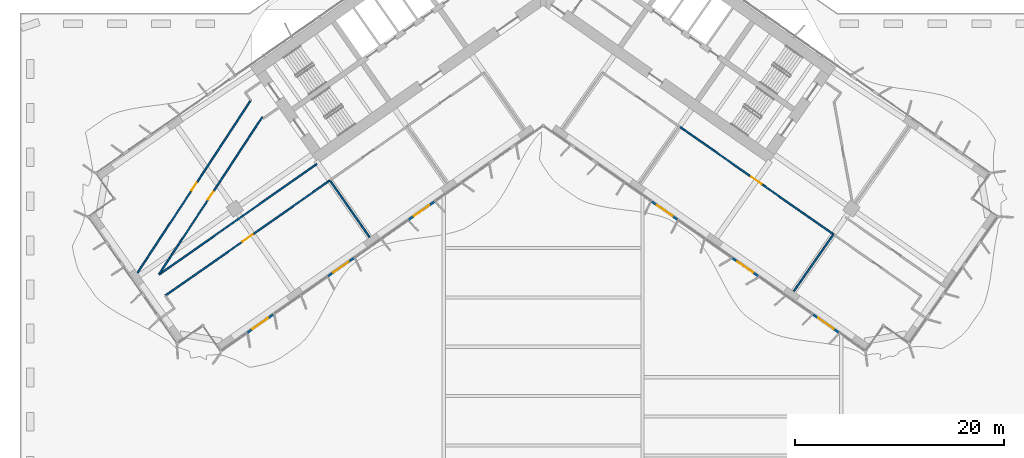
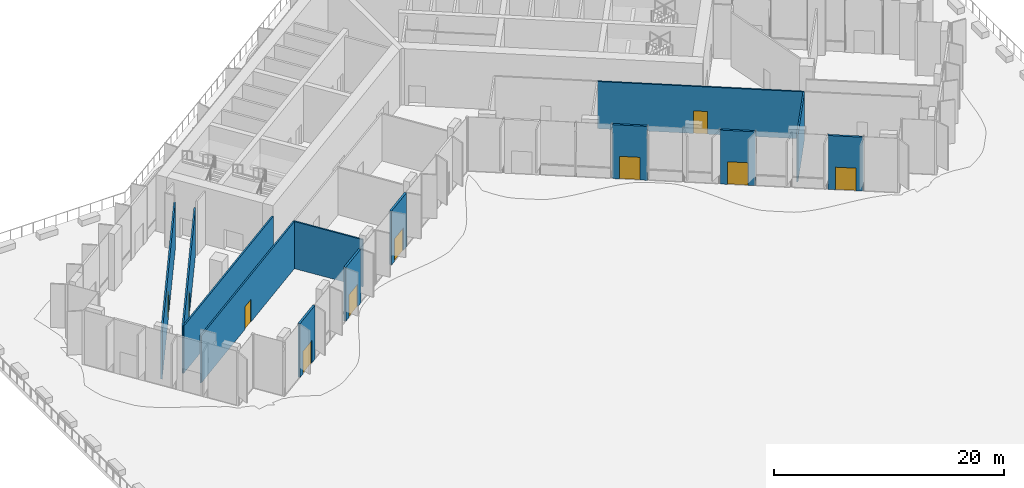
# One storey, part 16 of 27: 13 walls, 10 doors, 10 openings.
"""IFC4 building model written with IfcOpenShell, lengths in metres."""

from ifc_helpers import new_model, si_unit, direction, frame, frame_2d, origin, place, context, subcontext, project, spatial, rectangle, extrude, material, layer, layer_set, type_object, element, fill, save


model = new_model("IFC4")

# Units and contexts
model_context = context("Model", 3, precision=1e-05, world=origin(), true_north=direction((0.0, 1.0)))
body_context = subcontext(model_context, "Body", "Model", "MODEL_VIEW")
ifc_project = project(units=[si_unit("LENGTHUNIT", "METRE"), si_unit("AREAUNIT", "SQUARE_METRE"), si_unit("VOLUMEUNIT", "CUBIC_METRE"), si_unit("PLANEANGLEUNIT", "RADIAN"), si_unit("MASSUNIT", "GRAM", prefix="KILO")], contexts=[model_context])

# Site, building, storey
site_placement = place(None, origin())
site = spatial("IfcSite", under=ifc_project, at=site_placement, CompositionType="ELEMENT")
building_placement = place(site_placement, origin())
building = spatial("IfcBuilding", under=site, at=building_placement, Name="Tel Ilan Convention Tower", CompositionType="ELEMENT")
storey_placement = place(building_placement, frame((0.0, 0.0, 48.5)))
storey = spatial("IfcBuildingStorey", under=building, at=storey_placement, Name="L07", CompositionType="ELEMENT", Elevation=48.5)

# Wall, opening, door
ifc_material_1 = material(Name="Plasterboard on Steel Studs", Category="steel")
ifc_layer_1 = layer(ifc_material_1, 0.14990234375)
ifc_layer_set_1 = layer_set([ifc_layer_1], Name="Fire-rated Partition 150 EI 60")
wall_type_1 = type_object("IfcWallType", Name="Fire-rated Partition 150 EI 60", PredefinedType="PARTITIONING", material=ifc_layer_set_1)
wall_1_placement = place(storey_placement, frame((27.7705078125, -23.107421875, 0.0), z_axis=(0.0, 0.0, 1.0), x_axis=(-0.81915291695, 0.57357519006, 0.0)))
wall_1 = element("IfcWall", 1, at=wall_1_placement, inside=storey, type_object=wall_type_1, Name="Partition 003", PredefinedType="PARTITIONING", context=body_context, shape_type="SweptSolid", body=[
    extrude(rectangle(XDim=18.00390625, YDim=0.14990234375, at=frame_2d((9.001953125, 0.0))), origin(), (0.0, 0.0, 1.0), 5.0),
])
opening_1_placement = place(wall_1_placement, frame((8.402099609375, 0.0, 0.0)))
opening_1 = element("IfcOpeningElement", 2, at=opening_1_placement, cuts=wall_1, Name="Opening L07-005", PredefinedType="OPENING", context=body_context, shape_type="SweptSolid", body=[
    extrude(rectangle(XDim=1.199951171875, YDim=2.39990234375, at=frame_2d((0.60009765625, 1.199951171875))), frame((0.0, 0.0849609375, 0.0), z_axis=(0.0, -1.0, 0.0), x_axis=(1.0, 0.0, 0.0)), (0.0, 0.0, 1.0), 0.169921875),
])
ifc_material_2 = material(Name="Glazed Aluminium Door", Category="aluminium")
door_type_1 = type_object("IfcDoorType", Name="Glazed Lobby Door 1200x2400", OperationType="NOTDEFINED", PredefinedType="DOOR", material=ifc_material_2)
door_1_placement = place(opening_1_placement, origin())
door_1 = element("IfcDoor", 3, at=door_1_placement, inside=storey, type_object=door_type_1, Name="Door L07-005", OperationType="DOUBLE_DOOR_SINGLE_SWING", OverallHeight=2.39990234375, OverallWidth=1.199951171875, PredefinedType="DOOR", context=body_context, shape_type="SweptSolid", body=[
    extrude(rectangle(XDim=1.199951171875, YDim=2.39990234375, at=frame_2d((0.60009765625, 1.199951171875))), frame((0.0, 0.02490234375, 0.0), z_axis=(0.0, -1.0, 0.0), x_axis=(1.0, 0.0, 0.0)), (0.0, 0.0, 1.0), 0.050048828125),
])
fill(opening_1, door_1)

wall_2_placement = place(storey_placement, frame((-20.394775390625, -17.94287109375, 0.0), z_axis=(0.0, 0.0, 1.0), x_axis=(-0.819147689755, -0.573582655221, 0.0)))
wall_2 = element("IfcWall", 4, at=wall_2_placement, inside=storey, type_object=wall_type_1, Name="Partition 010", PredefinedType="PARTITIONING", context=body_context, shape_type="SweptSolid", body=[
    extrude(rectangle(XDim=19.201904296875, YDim=0.14990234375, at=frame_2d((9.60107421875, 0.0))), origin(), (0.0, 0.0, 1.0), 5.0),
])
opening_2_placement = place(wall_2_placement, frame((9.0009765625, 0.0, 0.0)))
opening_2 = element("IfcOpeningElement", 5, at=opening_2_placement, cuts=wall_2, Name="Opening L07-003", PredefinedType="OPENING", context=body_context, shape_type="SweptSolid", body=[
    extrude(rectangle(XDim=1.199951171875, YDim=2.39990234375, at=frame_2d((0.60009765625, 1.199951171875))), frame((0.0, 0.0849609375, 0.0), z_axis=(0.0, -1.0, 0.0), x_axis=(1.0, 0.0, 0.0)), (0.0, 0.0, 1.0), 0.169921875),
])
door_2_placement = place(opening_2_placement, origin())
door_2 = element("IfcDoor", 6, at=door_2_placement, inside=storey, type_object=door_type_1, Name="Door L07-003", OperationType="DOUBLE_DOOR_SINGLE_SWING", OverallHeight=2.39990234375, OverallWidth=1.199951171875, PredefinedType="DOOR", context=body_context, shape_type="SweptSolid", body=[
    extrude(rectangle(XDim=1.199951171875, YDim=2.39990234375, at=frame_2d((0.60009765625, 1.199951171875))), frame((0.0, 0.02490234375, 0.0), z_axis=(0.0, -1.0, 0.0), x_axis=(1.0, 0.0, 0.0)), (0.0, 0.0, 1.0), 0.050048828125),
])
fill(opening_2, door_2)

# Walls
wall_3_placement = place(storey_placement, frame((-36.716796875, -26.93017578125, 0.0), z_axis=(0.0, 0.0, 1.0), x_axis=(0.819150266993, 0.573578974585, 0.0)))
element("IfcWall", 7, at=wall_3_placement, inside=storey, type_object=wall_type_1, Name="Partition 012", PredefinedType="PARTITIONING", context=body_context, shape_type="SweptSolid", body=[
    extrude(rectangle(XDim=18.403076171875, YDim=0.14990234375, at=frame_2d((9.20166015625, 0.0))), origin(), (0.0, 0.0, 1.0), 5.0),
])
wall_4_placement = place(storey_placement, frame((27.768798828125, -23.106201171875, 0.0), z_axis=(0.0, 0.0, 1.0), x_axis=(-0.57359826181, -0.819136761505, 0.0)))
element("IfcWall", 8, at=wall_4_placement, inside=storey, type_object=wall_type_1, Name="Partition 019", PredefinedType="PARTITIONING", context=body_context, shape_type="SweptSolid", body=[
    extrude(rectangle(XDim=6.630126953125, YDim=0.14990234375, at=frame_2d((3.31494140625, 0.0))), origin(), (0.0, 0.0, 1.0), 5.0),
])

# Wall, opening, door
wall_5_placement = place(storey_placement, frame((-38.787353515625, -26.774658203125, 0.0), z_axis=(0.0, 0.0, 1.0), x_axis=(0.548981310193, 0.835834625424, 0.0)))
wall_5 = element("IfcWall", 9, at=wall_5_placement, inside=storey, type_object=wall_type_1, Name="Partition 022", PredefinedType="PARTITIONING", context=body_context, shape_type="SweptSolid", body=[
    extrude(rectangle(XDim=19.728515625, YDim=0.14990234375, at=frame_2d((9.8642578125, 0.0))), origin(), (0.0, 0.0, 1.0), 5.0),
])
opening_3_placement = place(wall_5_placement, frame((9.414306640625, 0.0, 0.0)))
opening_3 = element("IfcOpeningElement", 10, at=opening_3_placement, cuts=wall_5, Name="Opening L07-010", PredefinedType="OPENING", context=body_context, shape_type="SweptSolid", body=[
    extrude(rectangle(XDim=0.89990234375, YDim=2.10009765625, at=frame_2d((0.449951171875, 1.050048828125))), frame((0.0, 0.0849609375, 0.0), z_axis=(0.0, -1.0, 0.0), x_axis=(1.0, 0.0, 0.0)), (0.0, 0.0, 1.0), 0.169921875),
])
ifc_material_3 = material(Name="Timber Door Leaf in Steel Frame", Category="steel")
door_type_2 = type_object("IfcDoorType", Name="Room Fire Door 900x2100", OperationType="NOTDEFINED", PredefinedType="DOOR", material=ifc_material_3)
door_3_placement = place(opening_3_placement, origin())
door_3 = element("IfcDoor", 11, at=door_3_placement, inside=storey, type_object=door_type_2, Name="Door L07-010", OperationType="SINGLE_SWING_LEFT", OverallHeight=2.10009765625, OverallWidth=0.89990234375, PredefinedType="DOOR", context=body_context, shape_type="SweptSolid", body=[
    extrude(rectangle(XDim=0.89990234375, YDim=2.10009765625, at=frame_2d((0.449951171875, 1.050048828125))), frame((0.0, 0.02490234375, 0.0), z_axis=(0.0, -1.0, 0.0), x_axis=(1.0, 0.0, 0.0)), (0.0, 0.0, 1.0), 0.050048828125),
])
fill(opening_3, door_3)

wall_6_placement = place(storey_placement, frame((-26.845458984375, -11.871826171875, 0.0), z_axis=(0.0, 0.0, 1.0), x_axis=(-0.54898817212, -0.835830118429, 0.0)))
wall_6 = element("IfcWall", 12, at=wall_6_placement, inside=storey, type_object=wall_type_1, Name="Partition 025", PredefinedType="PARTITIONING", context=body_context, shape_type="SweptSolid", body=[
    extrude(rectangle(XDim=18.002197265625, YDim=0.14990234375, at=frame_2d((9.0009765625, 0.0))), origin(), (0.0, 0.0, 1.0), 5.0),
])
opening_4_placement = place(wall_6_placement, frame((8.55126953125, 0.0, 0.0)))
opening_4 = element("IfcOpeningElement", 13, at=opening_4_placement, cuts=wall_6, Name="Opening L07-008", PredefinedType="OPENING", context=body_context, shape_type="SweptSolid", body=[
    extrude(rectangle(XDim=0.89990234375, YDim=2.10009765625, at=frame_2d((0.449951171875, 1.050048828125))), frame((0.0, 0.0849609375, 0.0), z_axis=(0.0, -1.0, 0.0), x_axis=(1.0, 0.0, 0.0)), (0.0, 0.0, 1.0), 0.169921875),
])
door_4_placement = place(opening_4_placement, origin())
door_4 = element("IfcDoor", 14, at=door_4_placement, inside=storey, type_object=door_type_2, Name="Door L07-008", OperationType="SINGLE_SWING_RIGHT", OverallHeight=2.10009765625, OverallWidth=0.89990234375, PredefinedType="DOOR", context=body_context, shape_type="SweptSolid", body=[
    extrude(rectangle(XDim=0.89990234375, YDim=2.10009765625, at=frame_2d((0.449951171875, 1.050048828125))), frame((0.0, 0.02490234375, 0.0), z_axis=(0.0, -1.0, 0.0), x_axis=(1.0, 0.0, 0.0)), (0.0, 0.0, 1.0), 0.050048828125),
])
fill(opening_4, door_4)

# Wall
wall_7_placement = place(storey_placement, frame((-16.593505859375, -23.375, 0.0), z_axis=(0.0, 0.0, 1.0), x_axis=(-0.57359826181, 0.819136761505, 0.0)))
element("IfcWall", 15, at=wall_7_placement, inside=storey, type_object=wall_type_1, Name="Partition 027", PredefinedType="PARTITIONING", context=body_context, shape_type="SweptSolid", body=[
    extrude(rectangle(XDim=6.630126953125, YDim=0.14990234375, at=frame_2d((3.31494140625, 0.0))), origin(), (0.0, 0.0, 1.0), 5.0),
])

# Wall, opening, door
ifc_material_4 = material(Name="Aluminium composite cladding, bronze anodised on steel studs", Category="steel")
ifc_layer_2 = layer(ifc_material_4, 0.199951171875)
ifc_layer_set_2 = layer_set([ifc_layer_2], Name="TERRACE DOOR BAY WALL 200")
wall_type_2 = type_object("IfcWallType", Name="TERRACE DOOR BAY WALL 200", PredefinedType="SOLIDWALL", material=ifc_layer_set_2)
wall_8_placement = place(storey_placement, frame((-28.30224609375, -32.513427734375, 0.0), z_axis=(0.0, 0.0, 1.0), x_axis=(0.819164830218, 0.573558175719, 0.0)))
wall_8 = element("IfcWall", 16, at=wall_8_placement, inside=storey, type_object=wall_type_2, Name="Terrace door bay", PredefinedType="SOLIDWALL", context=body_context, shape_type="SweptSolid", body=[
    extrude(rectangle(XDim=3.07763671875, YDim=0.199951171875, at=frame_2d((1.538818359375, 0.0))), origin(), (0.0, 0.0, 1.0), 5.719970703125),
])
opening_5_placement = place(wall_8_placement, frame((0.638671875, 0.0, 0.0)))
opening_5 = element("IfcOpeningElement", 17, at=opening_5_placement, cuts=wall_8, Name="Opening T07.01", PredefinedType="OPENING", context=body_context, shape_type="SweptSolid", body=[
    extrude(rectangle(XDim=1.800048828125, YDim=2.39990234375, at=frame_2d((0.89990234375, 1.199951171875))), frame((0.0, 0.10986328125, 0.0), z_axis=(0.0, -1.0, 0.0), x_axis=(1.0, 0.0, 0.0)), (0.0, 0.0, 1.0), 0.219970703125),
])
ifc_material_5 = material(Name="Aluminium framed glazed door, bronze anodised", Category="aluminium")
door_type_3 = type_object("IfcDoorType", Name="TERRACE DOUBLE DOOR 1800x2400", OperationType="NOTDEFINED", PredefinedType="DOOR", material=ifc_material_5)
door_5_placement = place(opening_5_placement, origin())
door_5 = element("IfcDoor", 18, at=door_5_placement, inside=storey, type_object=door_type_3, Name="Terrace door", OperationType="DOUBLE_DOOR_DOUBLE_SWING", OverallHeight=2.39990234375, OverallWidth=1.800048828125, PredefinedType="DOOR", context=body_context, shape_type="SweptSolid", body=[
    extrude(rectangle(XDim=1.800048828125, YDim=2.39990234375, at=frame_2d((0.89990234375, 1.199951171875))), frame((0.0, 0.02490234375, 0.0), z_axis=(0.0, -1.0, 0.0), x_axis=(1.0, 0.0, 0.0)), (0.0, 0.0, 1.0), 0.050048828125),
])
fill(opening_5, door_5)

wall_9_placement = place(storey_placement, frame((-20.59228515625, -27.114990234375, 0.0), z_axis=(0.0, 0.0, 1.0), x_axis=(0.819138730461, 0.573595449998, 0.0)))
wall_9 = element("IfcWall", 19, at=wall_9_placement, inside=storey, type_object=wall_type_2, Name="Terrace door bay", PredefinedType="SOLIDWALL", context=body_context, shape_type="SweptSolid", body=[
    extrude(rectangle(XDim=3.077392578125, YDim=0.199951171875, at=frame_2d((1.53857421875, 0.0))), origin(), (0.0, 0.0, 1.0), 5.719970703125),
])
opening_6_placement = place(wall_9_placement, frame((0.638671875, 0.0, 0.0)))
opening_6 = element("IfcOpeningElement", 20, at=opening_6_placement, cuts=wall_9, Name="Opening T07.02", PredefinedType="OPENING", context=body_context, shape_type="SweptSolid", body=[
    extrude(rectangle(XDim=1.800048828125, YDim=2.39990234375, at=frame_2d((0.89990234375, 1.199951171875))), frame((0.0, 0.10986328125, 0.0), z_axis=(0.0, -1.0, 0.0), x_axis=(1.0, 0.0, 0.0)), (0.0, 0.0, 1.0), 0.219970703125),
])
door_6_placement = place(opening_6_placement, origin())
door_6 = element("IfcDoor", 21, at=door_6_placement, inside=storey, type_object=door_type_3, Name="Terrace door", OperationType="DOUBLE_DOOR_DOUBLE_SWING", OverallHeight=2.39990234375, OverallWidth=1.800048828125, PredefinedType="DOOR", context=body_context, shape_type="SweptSolid", body=[
    extrude(rectangle(XDim=1.800048828125, YDim=2.39990234375, at=frame_2d((0.89990234375, 1.199951171875))), frame((0.0, 0.02490234375, 0.0), z_axis=(0.0, -1.0, 0.0), x_axis=(1.0, 0.0, 0.0)), (0.0, 0.0, 1.0), 0.050048828125),
])
fill(opening_6, door_6)

wall_10_placement = place(storey_placement, frame((-12.882568359375, -21.716552734375, 0.0), z_axis=(0.0, 0.0, 1.0), x_axis=(0.819138730461, 0.573595449998, 0.0)))
wall_10 = element("IfcWall", 22, at=wall_10_placement, inside=storey, type_object=wall_type_2, Name="Terrace door bay", PredefinedType="SOLIDWALL", context=body_context, shape_type="SweptSolid", body=[
    extrude(rectangle(XDim=3.077392578125, YDim=0.199951171875, at=frame_2d((1.53857421875, 0.0))), origin(), (0.0, 0.0, 1.0), 5.719970703125),
])
opening_7_placement = place(wall_10_placement, frame((0.638671875, 0.0, 0.0)))
opening_7 = element("IfcOpeningElement", 23, at=opening_7_placement, cuts=wall_10, Name="Opening T07.03", PredefinedType="OPENING", context=body_context, shape_type="SweptSolid", body=[
    extrude(rectangle(XDim=1.800048828125, YDim=2.39990234375, at=frame_2d((0.89990234375, 1.199951171875))), frame((0.0, 0.10986328125, 0.0), z_axis=(0.0, -1.0, 0.0), x_axis=(1.0, 0.0, 0.0)), (0.0, 0.0, 1.0), 0.219970703125),
])
door_7_placement = place(opening_7_placement, origin())
door_7 = element("IfcDoor", 24, at=door_7_placement, inside=storey, type_object=door_type_3, Name="Terrace door", OperationType="DOUBLE_DOOR_DOUBLE_SWING", OverallHeight=2.39990234375, OverallWidth=1.800048828125, PredefinedType="DOOR", context=body_context, shape_type="SweptSolid", body=[
    extrude(rectangle(XDim=1.800048828125, YDim=2.39990234375, at=frame_2d((0.89990234375, 1.199951171875))), frame((0.0, 0.02490234375, 0.0), z_axis=(0.0, -1.0, 0.0), x_axis=(1.0, 0.0, 0.0)), (0.0, 0.0, 1.0), 0.050048828125),
])
fill(opening_7, door_7)

wall_11_placement = place(storey_placement, frame((10.36181640625, -19.951416015625, 0.0), z_axis=(0.0, 0.0, 1.0), x_axis=(0.819138730461, -0.573595449998, 0.0)))
wall_11 = element("IfcWall", 25, at=wall_11_placement, inside=storey, type_object=wall_type_2, Name="Terrace door bay", PredefinedType="SOLIDWALL", context=body_context, shape_type="SweptSolid", body=[
    extrude(rectangle(XDim=3.077392578125, YDim=0.199951171875, at=frame_2d((1.53857421875, 0.0))), origin(), (0.0, 0.0, 1.0), 5.719970703125),
])
opening_8_placement = place(wall_11_placement, frame((0.638671875, 0.0, 0.0)))
opening_8 = element("IfcOpeningElement", 26, at=opening_8_placement, cuts=wall_11, Name="Opening T07.06", PredefinedType="OPENING", context=body_context, shape_type="SweptSolid", body=[
    extrude(rectangle(XDim=1.800048828125, YDim=2.39990234375, at=frame_2d((0.89990234375, 1.199951171875))), frame((0.0, 0.10986328125, 0.0), z_axis=(0.0, -1.0, 0.0), x_axis=(1.0, 0.0, 0.0)), (0.0, 0.0, 1.0), 0.219970703125),
])
door_8_placement = place(opening_8_placement, origin())
door_8 = element("IfcDoor", 27, at=door_8_placement, inside=storey, type_object=door_type_3, Name="Terrace door", OperationType="DOUBLE_DOOR_DOUBLE_SWING", OverallHeight=2.39990234375, OverallWidth=1.800048828125, PredefinedType="DOOR", context=body_context, shape_type="SweptSolid", body=[
    extrude(rectangle(XDim=1.800048828125, YDim=2.39990234375, at=frame_2d((0.89990234375, 1.199951171875))), frame((0.0, 0.02490234375, 0.0), z_axis=(0.0, -1.0, 0.0), x_axis=(1.0, 0.0, 0.0)), (0.0, 0.0, 1.0), 0.050048828125),
])
fill(opening_8, door_8)

wall_12_placement = place(storey_placement, frame((18.071533203125, -25.349853515625, 0.0), z_axis=(0.0, 0.0, 1.0), x_axis=(0.819138730461, -0.573595449998, 0.0)))
wall_12 = element("IfcWall", 28, at=wall_12_placement, inside=storey, type_object=wall_type_2, Name="Terrace door bay", PredefinedType="SOLIDWALL", context=body_context, shape_type="SweptSolid", body=[
    extrude(rectangle(XDim=3.077392578125, YDim=0.199951171875, at=frame_2d((1.53857421875, 0.0))), origin(), (0.0, 0.0, 1.0), 5.719970703125),
])
opening_9_placement = place(wall_12_placement, frame((0.638671875, 0.0, 0.0)))
opening_9 = element("IfcOpeningElement", 29, at=opening_9_placement, cuts=wall_12, Name="Opening T07.07", PredefinedType="OPENING", context=body_context, shape_type="SweptSolid", body=[
    extrude(rectangle(XDim=1.800048828125, YDim=2.39990234375, at=frame_2d((0.89990234375, 1.199951171875))), frame((0.0, 0.10986328125, 0.0), z_axis=(0.0, -1.0, 0.0), x_axis=(1.0, 0.0, 0.0)), (0.0, 0.0, 1.0), 0.219970703125),
])
door_9_placement = place(opening_9_placement, origin())
door_9 = element("IfcDoor", 30, at=door_9_placement, inside=storey, type_object=door_type_3, Name="Terrace door", OperationType="DOUBLE_DOOR_DOUBLE_SWING", OverallHeight=2.39990234375, OverallWidth=1.800048828125, PredefinedType="DOOR", context=body_context, shape_type="SweptSolid", body=[
    extrude(rectangle(XDim=1.800048828125, YDim=2.39990234375, at=frame_2d((0.89990234375, 1.199951171875))), frame((0.0, 0.02490234375, 0.0), z_axis=(0.0, -1.0, 0.0), x_axis=(1.0, 0.0, 0.0)), (0.0, 0.0, 1.0), 0.050048828125),
])
fill(opening_9, door_9)

wall_13_placement = place(storey_placement, frame((25.78125, -30.748291015625, 0.0), z_axis=(0.0, 0.0, 1.0), x_axis=(0.819164830218, -0.573558175719, 0.0)))
wall_13 = element("IfcWall", 31, at=wall_13_placement, inside=storey, type_object=wall_type_2, Name="Terrace door bay", PredefinedType="SOLIDWALL", context=body_context, shape_type="SweptSolid", body=[
    extrude(rectangle(XDim=3.07763671875, YDim=0.199951171875, at=frame_2d((1.538818359375, 0.0))), origin(), (0.0, 0.0, 1.0), 5.719970703125),
])
opening_10_placement = place(wall_13_placement, frame((0.638671875, 0.0, 0.0)))
opening_10 = element("IfcOpeningElement", 32, at=opening_10_placement, cuts=wall_13, Name="Opening T07.08", PredefinedType="OPENING", context=body_context, shape_type="SweptSolid", body=[
    extrude(rectangle(XDim=1.800048828125, YDim=2.39990234375, at=frame_2d((0.89990234375, 1.199951171875))), frame((0.0, 0.10986328125, 0.0), z_axis=(0.0, -1.0, 0.0), x_axis=(1.0, 0.0, 0.0)), (0.0, 0.0, 1.0), 0.219970703125),
])
door_10_placement = place(opening_10_placement, origin())
door_10 = element("IfcDoor", 33, at=door_10_placement, inside=storey, type_object=door_type_3, Name="Terrace door", OperationType="DOUBLE_DOOR_DOUBLE_SWING", OverallHeight=2.39990234375, OverallWidth=1.800048828125, PredefinedType="DOOR", context=body_context, shape_type="SweptSolid", body=[
    extrude(rectangle(XDim=1.800048828125, YDim=2.39990234375, at=frame_2d((0.89990234375, 1.199951171875))), frame((0.0, 0.02490234375, 0.0), z_axis=(0.0, -1.0, 0.0), x_axis=(1.0, 0.0, 0.0)), (0.0, 0.0, 1.0), 0.050048828125),
])
fill(opening_10, door_10)

save(model, "model.ifc")
